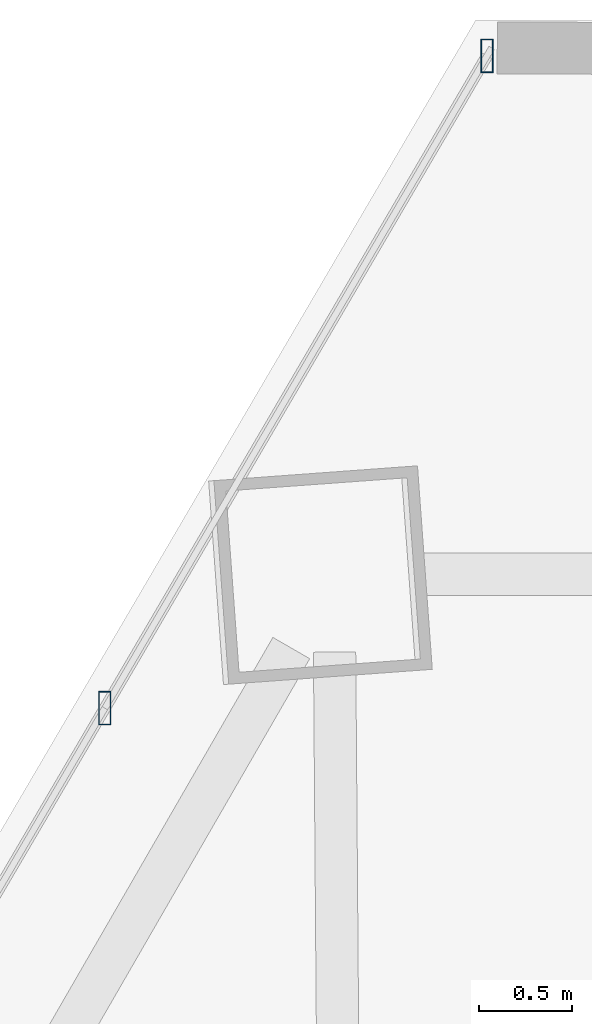
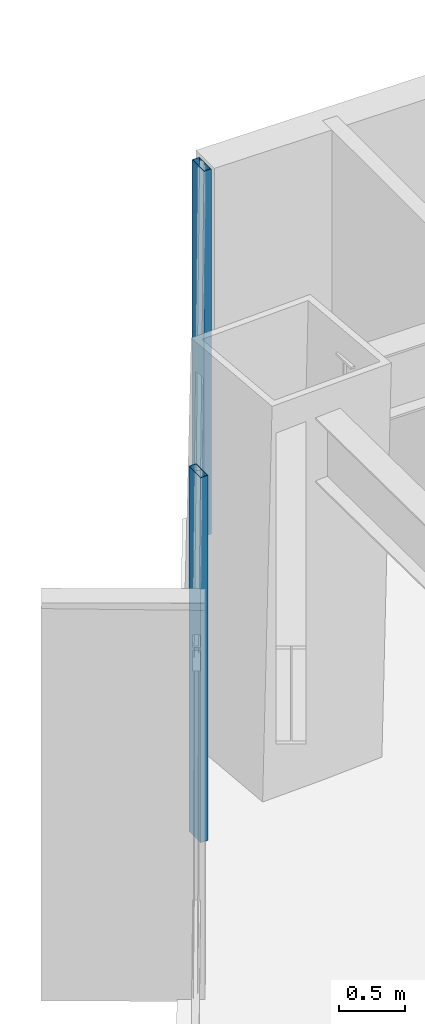
# One storey, part 26 of 35: 2 members, 1 element without a shape of its own.
"""IFC4 building model written with IfcOpenShell, lengths in metres."""

from ifc_helpers import new_model, si_unit, direction, frame, origin, origin_2d, place, context, subcontext, project, spatial, hollow_rectangle, extrude, source, transform, mapped, material, material_profile, profile_set, type_object, type_shapes, element, aggregate, save


model = new_model("IFC4")

# Units and contexts
model_context = context("Model", 3, precision=1e-05, world=origin(), true_north=direction((0.0, 1.0)))
body_context = subcontext(model_context, "Body", "Model", "MODEL_VIEW")
ifc_project = project(units=[si_unit("LENGTHUNIT", "METRE"), si_unit("AREAUNIT", "SQUARE_METRE"), si_unit("VOLUMEUNIT", "CUBIC_METRE"), si_unit("PLANEANGLEUNIT", "RADIAN"), si_unit("MASSUNIT", "GRAM", prefix="KILO")], contexts=[model_context])

# Site, building, storey
site_placement = place(None, origin())
site = spatial("IfcSite", under=ifc_project, at=site_placement, CompositionType="ELEMENT")
building_placement = place(site_placement, origin())
building = spatial("IfcBuilding", under=site, at=building_placement, Name="Caelisora Broadcast Tower", CompositionType="ELEMENT")
storey_placement = place(building_placement, frame((0.0, 0.0, 94.449951171875)))
storey = spatial("IfcBuildingStorey", under=building, at=storey_placement, Name="L24", CompositionType="ELEMENT", Elevation=94.449951171875)

# Curtain wall, members
ifc_material_1 = material(Name="Unitised Aluminium and Low-E Glass Curtain Wall", Category="glass")
curtain_wall_type = type_object("IfcCurtainWallType", Name="CW-Z2", PredefinedType="NOTDEFINED", material=ifc_material_1)
curtain_wall_placement = place(storey_placement, origin())
curtain_wall = element("IfcCurtainWall", 1, at=curtain_wall_placement, inside=storey, type_object=curtain_wall_type, Name="L24 curtain wall CW-Z2", PredefinedType="NOTDEFINED")
ifc_material_2 = material(Name="Aluminium 6063-T6 Anodised Terracotta Bronze", Category="aluminium")
ifc_material_profile = material_profile(ifc_material_2, hollow_rectangle(XDim=0.06494140625, YDim=0.179931640625, WallThickness=0.00341796875, at=origin_2d()), Name="Aluminium 6063-T6 Anodised Terracotta Bronze")
ifc_profile_set = profile_set([ifc_material_profile], Name="Aluminium 6063-T6 Anodised Terracotta Bronze")
member_type = type_object("IfcMemberType", Name="CWM-02", PredefinedType="MULLION", material=ifc_profile_set)
shared_shape = source(origin(), body_context, "Body", "SweptSolid", [
    extrude(hollow_rectangle(XDim=0.06494140625, YDim=0.179931640625, WallThickness=0.00341796875, at=origin_2d()), origin(), (0.0, 0.0, 1.0), 3.400146484375),
])
type_shapes(member_type, [shared_shape])
member_1_placement = place(storey_placement, frame((29.137451171875, 45.673828125, 0.0), z_axis=(0.0, 0.0, 1.0), x_axis=(1.0, 0.0, 0.0)))
member_1 = element("IfcMember", 2, at=member_1_placement, type_object=member_type, Name="L24-CW-B11 mullion #2", PredefinedType="MULLION", context=body_context, shape_type="MappedRepresentation", body=[
    mapped(shared_shape, transform((0.0, 0.0, 0.0), scale=1.0)),
])
member_2_placement = place(storey_placement, frame((31.19775390625, 49.19091796875, 0.0), z_axis=(0.0, 0.0, 1.0), x_axis=(1.0, 0.0, 0.0)))
member_2 = element("IfcMember", 3, at=member_2_placement, type_object=member_type, Name="L24-CW-B11 mullion #3", PredefinedType="MULLION", context=body_context, shape_type="MappedRepresentation", body=[
    mapped(shared_shape, transform((0.0, 0.0, 0.0), scale=1.0)),
])
aggregate(curtain_wall, [member_1, member_2])

save(model, "model.ifc")
